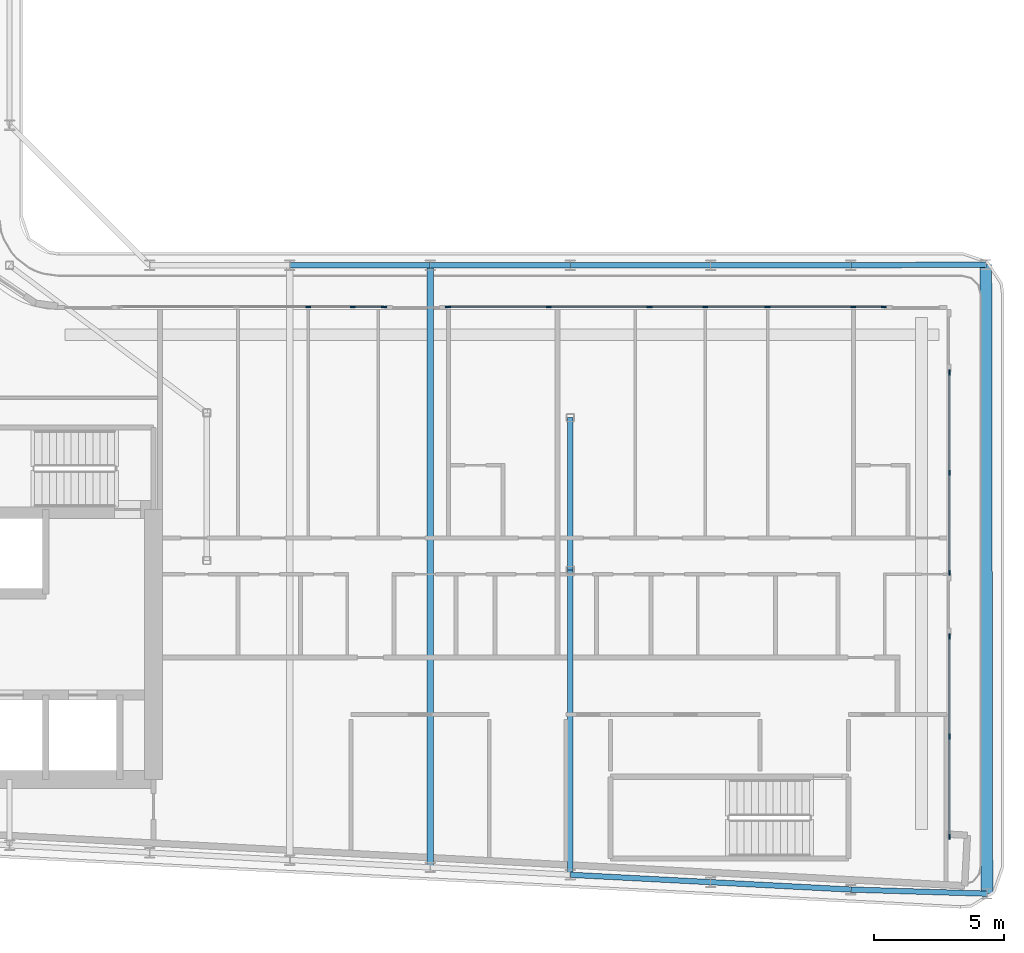
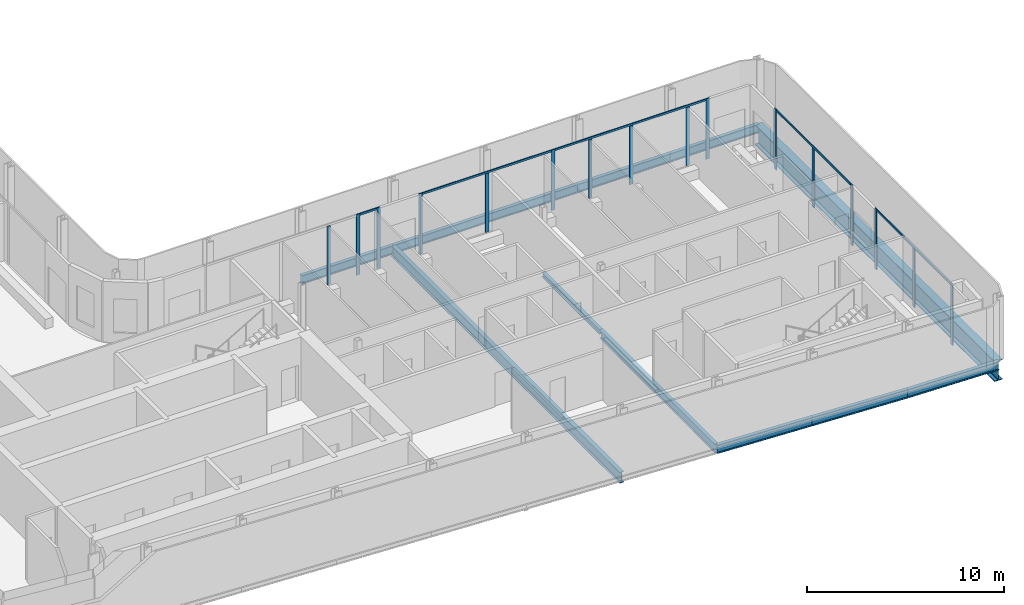
# One storey, part 5 of 23: 21 members, 12 beams, 6 elements without a shape of their own.
"""IFC4 building model written with IfcOpenShell, lengths in metres."""

from ifc_helpers import new_model, si_unit, direction, frame, origin, origin_2d, place, context, subcontext, project, spatial, rectangle, i_section, extrude, material, layer, layer_set, material_profile, profile_set, type_object, element, aggregate, save


model = new_model("IFC4")

# Units and contexts
model_context = context("Model", 3, precision=1e-05, world=origin(), true_north=direction((0.0, 1.0)))
body_context = subcontext(model_context, "Body", "Model", "MODEL_VIEW")
ifc_project = project(units=[si_unit("LENGTHUNIT", "METRE"), si_unit("AREAUNIT", "SQUARE_METRE"), si_unit("VOLUMEUNIT", "CUBIC_METRE"), si_unit("PLANEANGLEUNIT", "RADIAN"), si_unit("MASSUNIT", "GRAM", prefix="KILO")], contexts=[model_context])

# Site, building, storey
site_placement = place(None, origin())
site = spatial("IfcSite", under=ifc_project, at=site_placement, CompositionType="ELEMENT")
building_placement = place(site_placement, origin())
building = spatial("IfcBuilding", under=site, at=building_placement, Name="Kheshtan School and Residences Tower", CompositionType="ELEMENT")
storey_placement = place(building_placement, frame((0.0, 0.0, 239.60009765625)))
storey = spatial("IfcBuildingStorey", under=building, at=storey_placement, Name="L56", CompositionType="ELEMENT", Elevation=239.60009765625)

# Beams
ifc_material_1 = material(Name="Steel ASTM A992 Grade 50", Category="steel")
ifc_material_profile_1 = material_profile(ifc_material_1, i_section(OverallWidth=0.202880859375, OverallDepth=0.302978515625, WebThickness=0.007568359375, FlangeThickness=0.01318359375, FilletRadius=0.009033203125, at=origin_2d()), Name="W310x60")
ifc_profile_set_1 = profile_set([ifc_material_profile_1], Name="Steel ASTM A992 Grade 50")
beam_type_1 = type_object("IfcBeamType", Name="Beam FB1 W310x60 ASTM A992 Grade 50", PredefinedType="BEAM", material=ifc_profile_set_1)
beam_1_placement = place(storey_placement, frame((69.199951171875, 33.863037109375, -0.301513671875), z_axis=(0.0, 1.0, 0.0), x_axis=(-1.0, 0.0, 0.0)))
element("IfcBeam", 1, at=beam_1_placement, inside=storey, type_object=beam_type_1, Name="Floor beam IC", PredefinedType="BEAM", context=body_context, shape_type="SweptSolid", body=[
    extrude(i_section(OverallWidth=0.202880859375, OverallDepth=0.302978515625, WebThickness=0.007568359375, FlangeThickness=0.01318359375, FilletRadius=0.009033203125, at=origin_2d()), origin(), (0.0, 0.0, 1.0), 5.868896484375),
])
ifc_material_profile_2 = material_profile(ifc_material_1, i_section(OverallWidth=0.208984375, OverallDepth=0.532958984375, WebThickness=0.01025390625, FlangeThickness=0.015625, FilletRadius=0.013916015625, at=origin_2d()), Name="W530x92")
ifc_profile_set_2 = profile_set([ifc_material_profile_2], Name="Steel ASTM A992 Grade 50")
beam_type_2 = type_object("IfcBeamType", Name="Beam FB4 W530x92 ASTM A992 Grade 50", PredefinedType="BEAM", material=ifc_profile_set_2)
beam_2_placement = place(storey_placement, frame((69.199951171875, 22.126953125, -0.41650390625), z_axis=(0.0, 1.0, 0.0), x_axis=(-1.0, 0.0, 0.0)))
element("IfcBeam", 2, at=beam_2_placement, inside=storey, type_object=beam_type_2, Name="Floor beam C014", PredefinedType="BEAM", context=body_context, shape_type="SweptSolid", body=[
    extrude(i_section(OverallWidth=0.208984375, OverallDepth=0.532958984375, WebThickness=0.01025390625, FlangeThickness=0.015625, FilletRadius=0.013916015625, at=origin_2d()), origin(), (0.0, 0.0, 1.0), 11.736083984375),
])
ifc_material_profile_3 = material_profile(ifc_material_1, i_section(OverallWidth=0.2529296875, OverallDepth=0.677978515625, WebThickness=0.01171875, FlangeThickness=0.016357421875, FilletRadius=0.0146484375, at=origin_2d()), Name="W690x125")
ifc_profile_set_3 = profile_set([ifc_material_profile_3], Name="Steel ASTM A992 Grade 50")
beam_type_3 = type_object("IfcBeamType", Name="Beam FB6 W690x125 ASTM A992 Grade 50", PredefinedType="BEAM", material=ifc_profile_set_3)
beam_3_placement = place(storey_placement, frame((63.800048828125, 45.60009765625, -0.489013671875), z_axis=(0.0, -1.0, 0.0), x_axis=(1.0, 0.0, 0.0)))
element("IfcBeam", 3, at=beam_3_placement, inside=storey, type_object=beam_type_3, Name="Floor beam C063", PredefinedType="BEAM", context=body_context, shape_type="SweptSolid", body=[
    extrude(i_section(OverallWidth=0.2529296875, OverallDepth=0.677978515625, WebThickness=0.01171875, FlangeThickness=0.016357421875, FilletRadius=0.0146484375, at=origin_2d()), origin(), (0.0, 0.0, 1.0), 23.189208984375),
])
ifc_material_profile_4 = material_profile(ifc_material_1, i_section(OverallWidth=0.208984375, OverallDepth=0.532958984375, WebThickness=0.01025390625, FlangeThickness=0.015625, FilletRadius=0.013916015625, at=origin_2d()), Name="W530x92")
ifc_profile_set_4 = profile_set([ifc_material_profile_4], Name="Steel ASTM A992 Grade 50")
beam_type_4 = type_object("IfcBeamType", Name="Beam SP3 W530x92 ASTM A992 Grade 50", PredefinedType="BEAM", material=ifc_profile_set_4)
beam_4_placement = place(storey_placement, frame((58.39990234375, 45.60009765625, -0.41650390625), z_axis=(1.0, 0.0, 0.0), x_axis=(0.0, 1.0, 0.0)))
element("IfcBeam", 4, at=beam_4_placement, inside=storey, type_object=beam_type_4, Name="Spandrel beam C062-C063", PredefinedType="BEAM", context=body_context, shape_type="SweptSolid", body=[
    extrude(i_section(OverallWidth=0.208984375, OverallDepth=0.532958984375, WebThickness=0.01025390625, FlangeThickness=0.015625, FilletRadius=0.013916015625, at=origin_2d()), origin(), (0.0, 0.0, 1.0), 5.400146484375),
])
beam_5_placement = place(storey_placement, frame((63.800048828125, 45.60009765625, -0.41650390625), z_axis=(1.0, 0.0, 0.0), x_axis=(0.0, 1.0, 0.0)))
element("IfcBeam", 5, at=beam_5_placement, inside=storey, type_object=beam_type_4, Name="Spandrel beam C063-C064", PredefinedType="BEAM", context=body_context, shape_type="SweptSolid", body=[
    extrude(i_section(OverallWidth=0.208984375, OverallDepth=0.532958984375, WebThickness=0.01025390625, FlangeThickness=0.015625, FilletRadius=0.013916015625, at=origin_2d()), origin(), (0.0, 0.0, 1.0), 5.39990234375),
])
beam_6_placement = place(storey_placement, frame((69.199951171875, 45.60009765625, -0.41650390625), z_axis=(1.0, 0.0, 0.0), x_axis=(0.0, 1.0, 0.0)))
element("IfcBeam", 6, at=beam_6_placement, inside=storey, type_object=beam_type_4, Name="Spandrel beam C064-C065", PredefinedType="BEAM", context=body_context, shape_type="SweptSolid", body=[
    extrude(i_section(OverallWidth=0.208984375, OverallDepth=0.532958984375, WebThickness=0.01025390625, FlangeThickness=0.015625, FilletRadius=0.013916015625, at=origin_2d()), origin(), (0.0, 0.0, 1.0), 5.400146484375),
])
beam_7_placement = place(storey_placement, frame((74.60009765625, 45.60009765625, -0.41650390625), z_axis=(1.0, 0.0, 0.0), x_axis=(0.0, 1.0, 0.0)))
element("IfcBeam", 7, at=beam_7_placement, inside=storey, type_object=beam_type_4, Name="Spandrel beam C065-C066", PredefinedType="BEAM", context=body_context, shape_type="SweptSolid", body=[
    extrude(i_section(OverallWidth=0.208984375, OverallDepth=0.532958984375, WebThickness=0.01025390625, FlangeThickness=0.015625, FilletRadius=0.013916015625, at=origin_2d()), origin(), (0.0, 0.0, 1.0), 5.39990234375),
])
beam_8_placement = place(storey_placement, frame((80.0, 45.60009765625, -0.41650390625), z_axis=(0.999985687161, 0.005350277765, 0.0), x_axis=(-0.005350277765, 0.999985687161, 0.0)))
element("IfcBeam", 8, at=beam_8_placement, inside=storey, type_object=beam_type_4, Name="Spandrel beam C066-C076", PredefinedType="BEAM", context=body_context, shape_type="SweptSolid", body=[
    extrude(i_section(OverallWidth=0.208984375, OverallDepth=0.532958984375, WebThickness=0.01025390625, FlangeThickness=0.015625, FilletRadius=0.013916015625, at=origin_2d()), origin(), (0.0, 0.0, 1.0), 5.201904296875),
])
beam_9_placement = place(storey_placement, frame((85.243896484375, 21.39990234375, -0.41650390625), z_axis=(-0.999545226068, 0.030155282206, 0.0), x_axis=(-0.030155282206, -0.999545226068, 0.0)))
element("IfcBeam", 9, at=beam_9_placement, inside=storey, type_object=beam_type_4, Name="Spandrel beam C011-C012", PredefinedType="BEAM", context=body_context, shape_type="SweptSolid", body=[
    extrude(i_section(OverallWidth=0.208984375, OverallDepth=0.532958984375, WebThickness=0.01025390625, FlangeThickness=0.015625, FilletRadius=0.013916015625, at=origin_2d()), origin(), (0.0, 0.0, 1.0), 5.246337890625),
])
beam_10_placement = place(storey_placement, frame((80.0, 21.55810546875, -0.41650390625), z_axis=(-0.998610961136, 0.052689166816, 0.0), x_axis=(-0.052689166816, -0.998610961136, 0.0)))
element("IfcBeam", 10, at=beam_10_placement, inside=storey, type_object=beam_type_4, Name="Spandrel beam C012-C013", PredefinedType="BEAM", context=body_context, shape_type="SweptSolid", body=[
    extrude(i_section(OverallWidth=0.208984375, OverallDepth=0.532958984375, WebThickness=0.01025390625, FlangeThickness=0.015625, FilletRadius=0.013916015625, at=origin_2d()), origin(), (0.0, 0.0, 1.0), 5.407470703125),
])
beam_11_placement = place(storey_placement, frame((74.60009765625, 21.843017578125, -0.41650390625), z_axis=(-0.998620571751, 0.05250670125, 0.0), x_axis=(-0.05250670125, -0.998620571751, 0.0)))
element("IfcBeam", 11, at=beam_11_placement, inside=storey, type_object=beam_type_4, Name="Spandrel beam C013-C014", PredefinedType="BEAM", context=body_context, shape_type="SweptSolid", body=[
    extrude(i_section(OverallWidth=0.208984375, OverallDepth=0.532958984375, WebThickness=0.01025390625, FlangeThickness=0.015625, FilletRadius=0.013916015625, at=origin_2d()), origin(), (0.0, 0.0, 1.0), 5.40771484375),
])

# Curtain wall, members
ifc_material_2 = material(Name="Clear low-e glass in thermally broken aluminium frame", Category="aluminium")
ifc_layer = layer(ifc_material_2, 0.199951171875)
ifc_layer_set = layer_set([ifc_layer], Name="Curtain wall CW-L")
curtain_wall_type = type_object("IfcCurtainWallType", Name="Curtain wall CW-L", PredefinedType="NOTDEFINED", material=ifc_layer_set)
curtain_wall_1_placement = place(storey_placement, origin())
curtain_wall_1 = element("IfcCurtainWall", 12, at=curtain_wall_1_placement, inside=storey, type_object=curtain_wall_type, Name="Curtain wall CWL1228", PredefinedType="NOTDEFINED")
ifc_material_3 = material(Name="Thermally broken aluminium, dark bronze anodised", Category="aluminium")
ifc_material_profile_5 = material_profile(ifc_material_3, rectangle(XDim=0.06005859375, YDim=0.199951171875, at=origin_2d()), Name="CW-L mullion 60x200")
ifc_profile_set_5 = profile_set([ifc_material_profile_5], Name="Thermally broken aluminium, dark bronze anodised")
member_type_1 = type_object("IfcMemberType", Name="CW-L mullion 60x200", PredefinedType="MULLION", material=ifc_profile_set_5)
member_1_placement = place(storey_placement, frame((59.10009765625, 44.0, 0.0), z_axis=(0.0, 0.0, 1.0), x_axis=(0.0, 1.0, 0.0)))
member_1 = element("IfcMember", 13, at=member_1_placement, type_object=member_type_1, Name="CWL1228 mullion 3", PredefinedType="MULLION", context=body_context, shape_type="SweptSolid", body=[
    extrude(rectangle(XDim=0.06005859375, YDim=0.199951171875, at=origin_2d()), origin(), (0.0, 0.0, 1.0), 3.6298828125),
])
member_2_placement = place(storey_placement, frame((60.8232421875, 44.0, 0.0), z_axis=(0.0, 0.0, 1.0), x_axis=(0.0, 1.0, 0.0)))
member_2 = element("IfcMember", 14, at=member_2_placement, type_object=member_type_1, Name="CWL1228 mullion 4", PredefinedType="MULLION", context=body_context, shape_type="SweptSolid", body=[
    extrude(rectangle(XDim=0.06005859375, YDim=0.199951171875, at=origin_2d()), origin(), (0.0, 0.0, 1.0), 3.75),
])
aggregate(curtain_wall_1, [member_1, member_2])

# Curtain wall, member
curtain_wall_2_placement = place(storey_placement, origin())
curtain_wall_2 = element("IfcCurtainWall", 15, at=curtain_wall_2_placement, inside=storey, type_object=curtain_wall_type, Name="Curtain wall CWL12b", PredefinedType="NOTDEFINED")
member_3_placement = place(storey_placement, frame((62.0234375, 44.0, 0.0), z_axis=(0.0, 0.0, 1.0), x_axis=(0.0, 1.0, 0.0)))
member_3 = element("IfcMember", 16, at=member_3_placement, type_object=member_type_1, Name="CWL12b mullion 2", PredefinedType="MULLION", context=body_context, shape_type="SweptSolid", body=[
    extrude(rectangle(XDim=0.06005859375, YDim=0.199951171875, at=origin_2d()), origin(), (0.0, 0.0, 1.0), 3.75),
])

# Curtain wall, members
curtain_wall_3_placement = place(storey_placement, origin())
curtain_wall_3 = element("IfcCurtainWall", 17, at=curtain_wall_3_placement, inside=storey, type_object=curtain_wall_type, Name="Curtain wall CWL1229", PredefinedType="NOTDEFINED")
member_4_placement = place(storey_placement, frame((64.4833984375, 44.0, 0.0), z_axis=(0.0, 0.0, 1.0), x_axis=(0.0, 1.0, 0.0)))
member_4 = element("IfcMember", 18, at=member_4_placement, type_object=member_type_1, Name="CWL1229 mullion 1", PredefinedType="MULLION", context=body_context, shape_type="SweptSolid", body=[
    extrude(rectangle(XDim=0.06005859375, YDim=0.199951171875, at=origin_2d()), origin(), (0.0, 0.0, 1.0), 3.75),
])
member_5_placement = place(storey_placement, frame((68.364990234375, 44.0, 0.0), z_axis=(0.0, 0.0, 1.0), x_axis=(0.0, 1.0, 0.0)))
member_5 = element("IfcMember", 19, at=member_5_placement, type_object=member_type_1, Name="CWL1229 mullion 2", PredefinedType="MULLION", context=body_context, shape_type="SweptSolid", body=[
    extrude(rectangle(XDim=0.06005859375, YDim=0.199951171875, at=origin_2d()), origin(), (0.0, 0.0, 1.0), 3.6298828125),
])
member_6_placement = place(storey_placement, frame((72.24658203125, 44.0, 0.0), z_axis=(0.0, 0.0, 1.0), x_axis=(0.0, 1.0, 0.0)))
member_6 = element("IfcMember", 20, at=member_6_placement, type_object=member_type_1, Name="CWL1229 mullion 3", PredefinedType="MULLION", context=body_context, shape_type="SweptSolid", body=[
    extrude(rectangle(XDim=0.06005859375, YDim=0.199951171875, at=origin_2d()), origin(), (0.0, 0.0, 1.0), 3.75),
])

curtain_wall_4_placement = place(storey_placement, origin())
curtain_wall_4 = element("IfcCurtainWall", 21, at=curtain_wall_4_placement, inside=storey, type_object=curtain_wall_type, Name="Curtain wall CWL1230", PredefinedType="NOTDEFINED")
member_7_placement = place(storey_placement, frame((74.39990234375, 44.0, 0.0), z_axis=(0.0, 0.0, 1.0), x_axis=(0.0, 1.0, 0.0)))
member_7 = element("IfcMember", 22, at=member_7_placement, type_object=member_type_1, Name="CWL1230 mullion 2", PredefinedType="MULLION", context=body_context, shape_type="SweptSolid", body=[
    extrude(rectangle(XDim=0.06005859375, YDim=0.199951171875, at=origin_2d()), origin(), (0.0, 0.0, 1.0), 3.6298828125),
])
member_8_placement = place(storey_placement, frame((76.788330078125, 44.0, 0.0), z_axis=(0.0, 0.0, 1.0), x_axis=(0.0, 1.0, 0.0)))
member_8 = element("IfcMember", 23, at=member_8_placement, type_object=member_type_1, Name="CWL1230 mullion 3", PredefinedType="MULLION", context=body_context, shape_type="SweptSolid", body=[
    extrude(rectangle(XDim=0.06005859375, YDim=0.199951171875, at=origin_2d()), origin(), (0.0, 0.0, 1.0), 3.6298828125),
])
member_9_placement = place(storey_placement, frame((80.099853515625, 44.0, 0.0), z_axis=(0.0, 0.0, 1.0), x_axis=(0.0, 1.0, 0.0)))
member_9 = element("IfcMember", 24, at=member_9_placement, type_object=member_type_1, Name="CWL1230 mullion 4", PredefinedType="MULLION", context=body_context, shape_type="SweptSolid", body=[
    extrude(rectangle(XDim=0.06005859375, YDim=0.199951171875, at=origin_2d()), origin(), (0.0, 0.0, 1.0), 3.6298828125),
])
member_10_placement = place(storey_placement, frame((81.27001953125, 44.0, 0.0), z_axis=(0.0, 0.0, 1.0), x_axis=(0.0, 1.0, 0.0)))
member_10 = element("IfcMember", 25, at=member_10_placement, type_object=member_type_1, Name="CWL1230 mullion 5", PredefinedType="MULLION", context=body_context, shape_type="SweptSolid", body=[
    extrude(rectangle(XDim=0.06005859375, YDim=0.199951171875, at=origin_2d()), origin(), (0.0, 0.0, 1.0), 3.75),
])

curtain_wall_5_placement = place(storey_placement, origin())
curtain_wall_5 = element("IfcCurtainWall", 26, at=curtain_wall_5_placement, inside=storey, type_object=curtain_wall_type, Name="Curtain wall CWL13c", PredefinedType="NOTDEFINED")
member_11_placement = place(storey_placement, frame((83.800048828125, 41.469970703125, 0.0), z_axis=(0.0, 0.0, 1.0), x_axis=(1.0, 0.0, 0.0)))
member_11 = element("IfcMember", 27, at=member_11_placement, type_object=member_type_1, Name="CWL13c mullion 1", PredefinedType="MULLION", context=body_context, shape_type="SweptSolid", body=[
    extrude(rectangle(XDim=0.06005859375, YDim=0.199951171875, at=origin_2d()), origin(), (0.0, 0.0, 1.0), 3.75),
])
member_12_placement = place(storey_placement, frame((83.800048828125, 37.61669921875, 0.0), z_axis=(0.0, 0.0, 1.0), x_axis=(1.0, 0.0, 0.0)))
member_12 = element("IfcMember", 28, at=member_12_placement, type_object=member_type_1, Name="CWL13c mullion 2", PredefinedType="MULLION", context=body_context, shape_type="SweptSolid", body=[
    extrude(rectangle(XDim=0.06005859375, YDim=0.199951171875, at=origin_2d()), origin(), (0.0, 0.0, 1.0), 3.6298828125),
])
member_13_placement = place(storey_placement, frame((83.800048828125, 33.763427734375, 0.0), z_axis=(0.0, 0.0, 1.0), x_axis=(1.0, 0.0, 0.0)))
member_13 = element("IfcMember", 29, at=member_13_placement, type_object=member_type_1, Name="CWL13c mullion 3", PredefinedType="MULLION", context=body_context, shape_type="SweptSolid", body=[
    extrude(rectangle(XDim=0.06005859375, YDim=0.199951171875, at=origin_2d()), origin(), (0.0, 0.0, 1.0), 3.75),
])

curtain_wall_6_placement = place(storey_placement, origin())
curtain_wall_6 = element("IfcCurtainWall", 30, at=curtain_wall_6_placement, inside=storey, type_object=curtain_wall_type, Name="Curtain wall CWL13c", PredefinedType="NOTDEFINED")
member_14_placement = place(storey_placement, frame((83.800048828125, 31.303466796875, 0.0), z_axis=(0.0, 0.0, 1.0), x_axis=(1.0, 0.0, 0.0)))
member_14 = element("IfcMember", 31, at=member_14_placement, type_object=member_type_1, Name="CWL13c mullion 1", PredefinedType="MULLION", context=body_context, shape_type="SweptSolid", body=[
    extrude(rectangle(XDim=0.06005859375, YDim=0.199951171875, at=origin_2d()), origin(), (0.0, 0.0, 1.0), 3.75),
])
member_15_placement = place(storey_placement, frame((83.800048828125, 27.4501953125, 0.0), z_axis=(0.0, 0.0, 1.0), x_axis=(1.0, 0.0, 0.0)))
member_15 = element("IfcMember", 32, at=member_15_placement, type_object=member_type_1, Name="CWL13c mullion 2", PredefinedType="MULLION", context=body_context, shape_type="SweptSolid", body=[
    extrude(rectangle(XDim=0.06005859375, YDim=0.199951171875, at=origin_2d()), origin(), (0.0, 0.0, 1.0), 3.6298828125),
])
member_16_placement = place(storey_placement, frame((83.800048828125, 23.596923828125, 0.0), z_axis=(0.0, 0.0, 1.0), x_axis=(1.0, 0.0, 0.0)))
member_16 = element("IfcMember", 33, at=member_16_placement, type_object=member_type_1, Name="CWL13c mullion 3", PredefinedType="MULLION", context=body_context, shape_type="SweptSolid", body=[
    extrude(rectangle(XDim=0.06005859375, YDim=0.199951171875, at=origin_2d()), origin(), (0.0, 0.0, 1.0), 3.75),
])

# Member
ifc_material_profile_6 = material_profile(ifc_material_3, rectangle(XDim=0.06005859375, YDim=0.1201171875, at=origin_2d()), Name="CW-L transom 60x120")
ifc_profile_set_6 = profile_set([ifc_material_profile_6], Name="Thermally broken aluminium, dark bronze anodised")
member_type_2 = type_object("IfcMemberType", Name="CW-L transom 60x120", PredefinedType="USERDEFINED", material=ifc_profile_set_6)
member_17_placement = place(storey_placement, frame((60.853271484375, 44.0, 3.68994140625), z_axis=(1.0, 0.0, 0.0), x_axis=(0.0, 1.0, 0.0)))
member_17 = element("IfcMember", 34, at=member_17_placement, type_object=member_type_2, Name="CWL12b transom 1", ObjectType="TRANSOM", PredefinedType="USERDEFINED", context=body_context, shape_type="SweptSolid", body=[
    extrude(rectangle(XDim=0.06005859375, YDim=0.1201171875, at=origin_2d()), origin(), (0.0, 0.0, 1.0), 1.14013671875),
])

aggregate(curtain_wall_2, [member_3, member_17])

member_18_placement = place(storey_placement, frame((64.513427734375, 44.0, 3.68994140625), z_axis=(1.0, 0.0, 0.0), x_axis=(0.0, 1.0, 0.0)))
member_18 = element("IfcMember", 35, at=member_18_placement, type_object=member_type_2, Name="CWL1229 transom 1", ObjectType="TRANSOM", PredefinedType="USERDEFINED", context=body_context, shape_type="SweptSolid", body=[
    extrude(rectangle(XDim=0.06005859375, YDim=0.1201171875, at=origin_2d()), origin(), (0.0, 0.0, 1.0), 7.703125),
])

aggregate(curtain_wall_3, [member_4, member_5, member_6, member_18])

member_19_placement = place(storey_placement, frame((72.276611328125, 44.0, 3.68994140625), z_axis=(1.0, 0.0, 0.0), x_axis=(0.0, 1.0, 0.0)))
member_19 = element("IfcMember", 36, at=member_19_placement, type_object=member_type_2, Name="CWL1230 transom 1", ObjectType="TRANSOM", PredefinedType="USERDEFINED", context=body_context, shape_type="SweptSolid", body=[
    extrude(rectangle(XDim=0.06005859375, YDim=0.1201171875, at=origin_2d()), origin(), (0.0, 0.0, 1.0), 8.96337890625),
])

aggregate(curtain_wall_4, [member_7, member_8, member_9, member_10, member_19])

member_20_placement = place(storey_placement, frame((83.800048828125, 41.43994140625, 3.68994140625), z_axis=(0.0, -1.0, 0.0), x_axis=(1.0, 0.0, 0.0)))
member_20 = element("IfcMember", 37, at=member_20_placement, type_object=member_type_2, Name="CWL13c transom 1", ObjectType="TRANSOM", PredefinedType="USERDEFINED", context=body_context, shape_type="SweptSolid", body=[
    extrude(rectangle(XDim=0.06005859375, YDim=0.1201171875, at=origin_2d()), origin(), (0.0, 0.0, 1.0), 7.646484375),
])

aggregate(curtain_wall_5, [member_11, member_12, member_13, member_20])

member_21_placement = place(storey_placement, frame((83.800048828125, 31.2734375, 3.68994140625), z_axis=(0.0, -1.0, 0.0), x_axis=(1.0, 0.0, 0.0)))
member_21 = element("IfcMember", 38, at=member_21_placement, type_object=member_type_2, Name="CWL13c transom 1", ObjectType="TRANSOM", PredefinedType="USERDEFINED", context=body_context, shape_type="SweptSolid", body=[
    extrude(rectangle(XDim=0.06005859375, YDim=0.1201171875, at=origin_2d()), origin(), (0.0, 0.0, 1.0), 7.646484375),
])

aggregate(curtain_wall_6, [member_14, member_15, member_16, member_21])

# Beam
ifc_material_profile_7 = material_profile(ifc_material_1, i_section(OverallWidth=0.449951171875, OverallDepth=1.25, WebThickness=0.02490234375, FlangeThickness=0.044921875, FilletRadius=0.03759765625, at=origin_2d()), Name="WWF1250x546")
ifc_profile_set_7 = profile_set([ifc_material_profile_7], Name="Steel ASTM A992 Grade 50")
beam_type_5 = type_object("IfcBeamType", Name="Transfer girder TG4 WWF1250x546 ASTM A992 Grade 50", PredefinedType="BEAM", material=ifc_profile_set_7)
beam_12_placement = place(storey_placement, frame((85.201904296875, 45.6279296875, -0.775146484375), z_axis=(0.001733204434, -0.999998498, 0.0), x_axis=(0.999998498, 0.001733204434, 0.0)))
element("IfcBeam", 39, at=beam_12_placement, inside=storey, type_object=beam_type_5, Name="Transfer girder C076-C011", PredefinedType="BEAM", context=body_context, shape_type="SweptSolid", body=[
    extrude(i_section(OverallWidth=0.449951171875, OverallDepth=1.25, WebThickness=0.02490234375, FlangeThickness=0.044921875, FilletRadius=0.03759765625, at=origin_2d()), origin(), (0.0, 0.0, 1.0), 24.22802734375),
])

save(model, "model.ifc")
